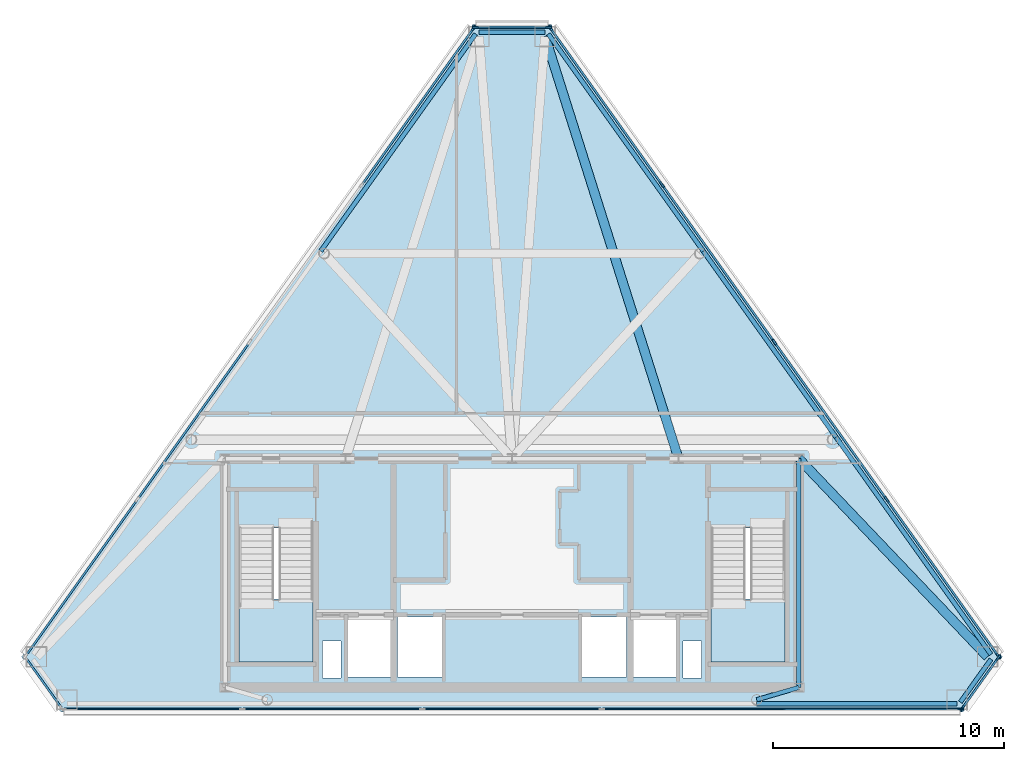
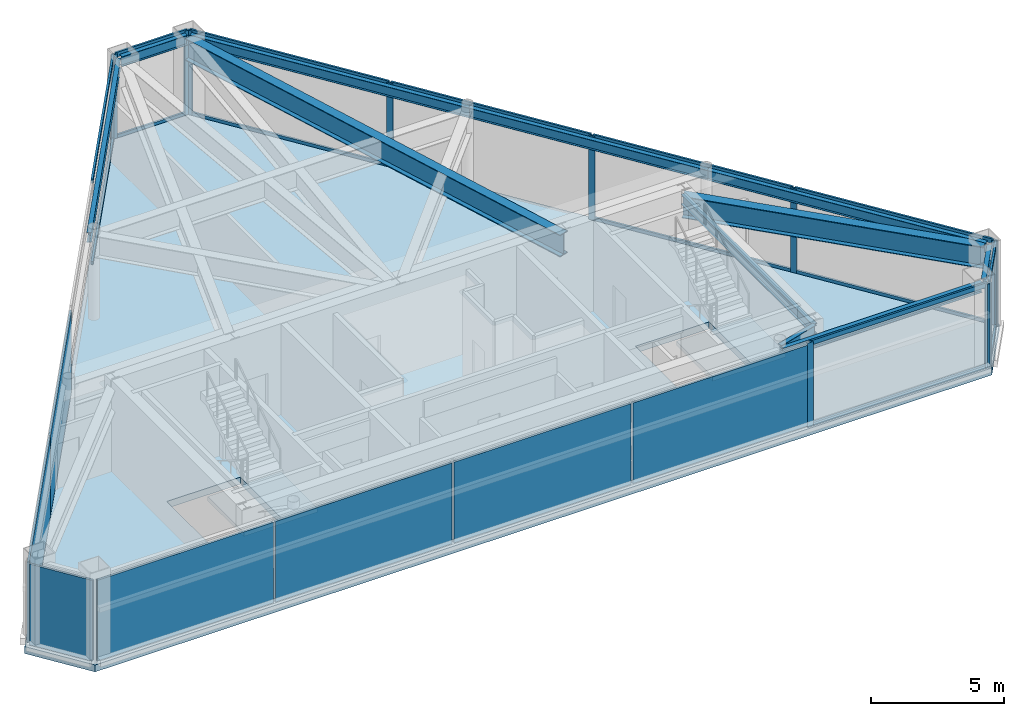
# One storey, part 2 of 5: 27 members, 11 beams, 7 plates, 3 slabs, 8 elements without a shape of their own.
"""IFC4 building model written with IfcOpenShell, lengths in metres."""

from ifc_helpers import new_model, si_unit, direction, frame, origin, origin_2d, place, context, subcontext, project, spatial, polyline, rectangle, i_section, outline, extrude, source, transform, mapped, material, layer, layer_set, material_profile, profile_set, type_object, type_shapes, element, aggregate, save


model = new_model("IFC4")

# Units and contexts
model_context = context("Model", 3, precision=1e-05, world=origin(), true_north=direction((0.0, 1.0)))
body_context = subcontext(model_context, "Body", "Model", "MODEL_VIEW")
ifc_project = project(units=[si_unit("LENGTHUNIT", "METRE"), si_unit("AREAUNIT", "SQUARE_METRE"), si_unit("VOLUMEUNIT", "CUBIC_METRE"), si_unit("PLANEANGLEUNIT", "RADIAN"), si_unit("MASSUNIT", "GRAM", prefix="KILO")], contexts=[model_context])

# Site, building, storey
site_placement = place(None, origin())
site = spatial("IfcSite", under=ifc_project, at=site_placement, CompositionType="ELEMENT")
building_placement = place(site_placement, origin())
building = spatial("IfcBuilding", under=site, at=building_placement, Name="Talgorran Terracotta Tower", CompositionType="ELEMENT")
storey_placement = place(building_placement, frame((0.0, 0.0, 297.60009765625)))
storey = spatial("IfcBuildingStorey", under=building, at=storey_placement, Name="L78", CompositionType="ELEMENT", Elevation=297.60009765625)

# Beams
ifc_material_1 = material(Name="Steel Grade 350 (350L0)", Category="steel")
ifc_material_profile_1 = material_profile(ifc_material_1, i_section(OverallWidth=0.39990234375, OverallDepth=1.0, WebThickness=0.01611328125, FlangeThickness=0.031005859375, at=origin_2d()), Name="1000WB296")
ifc_profile_set_1 = profile_set([ifc_material_profile_1], Name="Steel Grade 350 (350L0)")
beam_type_1 = type_object("IfcBeamType", Name="BM_1000WB296", PredefinedType="BEAM", material=ifc_profile_set_1)
beam_1_placement = place(storey_placement, frame((7.199951171875, -4.199951171875, 3.3798828125), z_axis=(-0.301538397756, 0.953454033857, 0.0), x_axis=(-0.953454033857, -0.301538397756, 0.0)))
element("IfcBeam", 1, at=beam_1_placement, inside=storey, type_object=beam_type_1, Name="L78 Observation/Crown Girder OG2", PredefinedType="BEAM", context=body_context, shape_type="SweptSolid", body=[
    extrude(i_section(OverallWidth=0.39990234375, OverallDepth=1.0, WebThickness=0.01611328125, FlangeThickness=0.031005859375, at=origin_2d()), origin(), (0.0, 0.0, 1.0), 19.145751953125),
])
beam_2_placement = place(storey_placement, frame((12.39990234375, -4.199951171875, 3.3798828125), z_axis=(0.689671131697, -0.724122731382, 0.0), x_axis=(0.724122731382, 0.689671131697, 0.0)))
element("IfcBeam", 2, at=beam_2_placement, inside=storey, type_object=beam_type_1, Name="L78 Observation/Crown Girder OG7", PredefinedType="BEAM", context=body_context, shape_type="SweptSolid", body=[
    extrude(i_section(OverallWidth=0.39990234375, OverallDepth=1.0, WebThickness=0.01611328125, FlangeThickness=0.031005859375, at=origin_2d()), origin(), (0.0, 0.0, 1.0), 11.841552734375),
])
ifc_material_2 = material(Name="Steel S355 (300PLUS)", Category="steel")
ifc_material_profile_2 = material_profile(ifc_material_2, i_section(OverallWidth=0.18994140625, OverallDepth=0.45703125, WebThickness=0.009033203125, FlangeThickness=0.014404296875, at=origin_2d()), Name="460UB74.6")
ifc_profile_set_2 = profile_set([ifc_material_profile_2], Name="Steel S355 (300PLUS)")
beam_type_2 = type_object("IfcBeamType", Name="BM_SP_460UB74", PredefinedType="SPANDREL", material=ifc_profile_set_2)
beam_3_placement = place(storey_placement, frame((10.58349609375, -14.81005859375, 3.6513671875), z_axis=(1.0, 0.0, 0.0), x_axis=(0.0, 1.0, 0.0)))
element("IfcBeam", 3, at=beam_3_placement, inside=storey, type_object=beam_type_2, Name="L78 Perimeter Spandrel Beam FC2-MC3", PredefinedType="SPANDREL", context=body_context, shape_type="SweptSolid", body=[
    extrude(i_section(OverallWidth=0.18994140625, OverallDepth=0.45703125, WebThickness=0.009033203125, FlangeThickness=0.014404296875, at=origin_2d()), origin(), (0.0, 0.0, 1.0), 8.659423828125),
])
beam_4_placement = place(storey_placement, frame((19.389404296875, -14.734619140625, 3.6513671875), z_axis=(0.580772007805, 0.814066259557, 0.0), x_axis=(-0.814066259557, 0.580772007805, 0.0)))
element("IfcBeam", 4, at=beam_4_placement, inside=storey, type_object=beam_type_2, Name="L78 Perimeter Spandrel Beam MC3-MC4", PredefinedType="SPANDREL", context=body_context, shape_type="SweptSolid", body=[
    extrude(i_section(OverallWidth=0.18994140625, OverallDepth=0.45703125, WebThickness=0.009033203125, FlangeThickness=0.014404296875, at=origin_2d()), origin(), (0.0, 0.0, 1.0), 2.279296875),
])
beam_5_placement = place(storey_placement, frame((20.713134765625, -12.670166015625, 3.6513671875), z_axis=(-0.580753577836, 0.81407940757, 0.0), x_axis=(-0.81407940757, -0.580753577836, 0.0)))
element("IfcBeam", 5, at=beam_5_placement, inside=storey, type_object=beam_type_2, Name="L78 Perimeter Spandrel Beam MC4-FC3", PredefinedType="SPANDREL", context=body_context, shape_type="SweptSolid", body=[
    extrude(i_section(OverallWidth=0.18994140625, OverallDepth=0.45703125, WebThickness=0.009033203125, FlangeThickness=0.014404296875, at=origin_2d()), origin(), (0.0, 0.0, 1.0), 11.534912109375),
])
beam_6_placement = place(storey_placement, frame((14.01416015625, -3.27978515625, 3.6513671875), z_axis=(-0.58076625008, 0.814070367209, 0.0), x_axis=(-0.814070367209, -0.58076625008, 0.0)))
element("IfcBeam", 6, at=beam_6_placement, inside=storey, type_object=beam_type_2, Name="L78 Perimeter Spandrel Beam FC3-FC4", PredefinedType="SPANDREL", context=body_context, shape_type="SweptSolid", body=[
    extrude(i_section(OverallWidth=0.18994140625, OverallDepth=0.45703125, WebThickness=0.009033203125, FlangeThickness=0.014404296875, at=origin_2d()), origin(), (0.0, 0.0, 1.0), 9.88671875),
])
beam_7_placement = place(storey_placement, frame((8.272216796875, 4.768798828125, 3.6513671875), z_axis=(-0.580753577836, 0.81407940757, 0.0), x_axis=(-0.81407940757, -0.580753577836, 0.0)))
element("IfcBeam", 7, at=beam_7_placement, inside=storey, type_object=beam_type_2, Name="L78 Perimeter Spandrel Beam FC4-MC5", PredefinedType="SPANDREL", context=body_context, shape_type="SweptSolid", body=[
    extrude(i_section(OverallWidth=0.18994140625, OverallDepth=0.45703125, WebThickness=0.009033203125, FlangeThickness=0.014404296875, at=origin_2d()), origin(), (0.0, 0.0, 1.0), 11.534912109375),
])
beam_8_placement = place(storey_placement, frame((1.4267578125, 14.234619140625, 3.6513671875), z_axis=(-1.0, 0.0, 0.0), x_axis=(0.0, -1.0, 0.0)))
element("IfcBeam", 8, at=beam_8_placement, inside=storey, type_object=beam_type_2, Name="L78 Perimeter Spandrel Beam MC5-MC6", PredefinedType="SPANDREL", context=body_context, shape_type="SweptSolid", body=[
    extrude(i_section(OverallWidth=0.18994140625, OverallDepth=0.45703125, WebThickness=0.009033203125, FlangeThickness=0.014404296875, at=origin_2d()), origin(), (0.0, 0.0, 1.0), 2.853515625),
])
beam_9_placement = place(storey_placement, frame((-1.5732421875, 14.1591796875, 3.6513671875), z_axis=(-0.580753577836, -0.81407940757, 0.0), x_axis=(0.81407940757, -0.580753577836, 0.0)))
element("IfcBeam", 9, at=beam_9_placement, inside=storey, type_object=beam_type_2, Name="L78 Perimeter Spandrel Beam MC6-FC5", PredefinedType="SPANDREL", context=body_context, shape_type="SweptSolid", body=[
    extrude(i_section(OverallWidth=0.18994140625, OverallDepth=0.45703125, WebThickness=0.009033203125, FlangeThickness=0.014404296875, at=origin_2d()), origin(), (0.0, 0.0, 1.0), 11.534912109375),
])
beam_10_placement = place(storey_placement, frame((12.39990234375, -14.10009765625, 3.6513671875), z_axis=(-0.96, -0.28, 0.0), x_axis=(0.28, -0.96, 0.0)))
element("IfcBeam", 10, at=beam_10_placement, inside=storey, type_object=beam_type_2, Name="L78 South-East Core Tie Beam", PredefinedType="SPANDREL", context=body_context, shape_type="SweptSolid", body=[
    extrude(i_section(OverallWidth=0.18994140625, OverallDepth=0.45703125, WebThickness=0.009033203125, FlangeThickness=0.014404296875, at=origin_2d()), origin(), (0.0, 0.0, 1.0), 1.89208984375),
])
beam_11_placement = place(storey_placement, frame((12.39990234375, -14.10009765625, 3.6513671875), z_axis=(0.0, 1.0, 0.0), x_axis=(-1.0, 0.0, 0.0)))
element("IfcBeam", 11, at=beam_11_placement, inside=storey, type_object=beam_type_2, Name="L78 Core Frame Beam CFE", PredefinedType="SPANDREL", context=body_context, shape_type="SweptSolid", body=[
    extrude(i_section(OverallWidth=0.18994140625, OverallDepth=0.45703125, WebThickness=0.009033203125, FlangeThickness=0.014404296875, at=origin_2d()), origin(), (0.0, 0.0, 1.0), 9.900146484375),
])

# Curtain wall, members
ifc_material_3 = material(Name="Anodised Aluminium Louvre", Category="aluminium")
ifc_layer_1 = layer(ifc_material_3, 0.25, Name="CW_SYS4_LOUVRE")
ifc_layer_set_1 = layer_set([ifc_layer_1], Name="Anodised Aluminium Louvre")
curtain_wall_type = type_object("IfcCurtainWallType", Name="CW_SYS4_LOUVRE", PredefinedType="NOTDEFINED", material=ifc_layer_set_1)
curtain_wall_1_placement = place(storey_placement, origin())
curtain_wall_1 = element("IfcCurtainWall", 12, at=curtain_wall_1_placement, inside=storey, type_object=curtain_wall_type, Name="CW-L78-F1", PredefinedType="NOTDEFINED")
ifc_material_4 = material(Name="Architectural Aluminium 6063-T6", Category="aluminium")
ifc_material_profile_3 = material_profile(ifc_material_4, rectangle(XDim=0.0849609375, YDim=0.260009765625, at=origin_2d()), Name="CWM85X260")
ifc_profile_set_3 = profile_set([ifc_material_profile_3], Name="Architectural Aluminium 6063-T6")
member_type_1 = type_object("IfcMemberType", Name="MUL_85X260", PredefinedType="MULLION", material=ifc_profile_set_3)
member_1_placement = place(storey_placement, frame((11.66943359375, -15.030029296875, 0.0), z_axis=(0.0, 0.0, 1.0), x_axis=(0.0, 1.0, 0.0)))
member_1 = element("IfcMember", 13, at=member_1_placement, type_object=member_type_1, Name="CW-L78-1 mullion 5", PredefinedType="MULLION", context=body_context, shape_type="SweptSolid", body=[
    extrude(rectangle(XDim=0.0849609375, YDim=0.260009765625, at=origin_2d()), origin(), (0.0, 0.0, 1.0), 3.8798828125),
])
member_2_placement = place(storey_placement, frame((19.406494140625, -15.030029296875, 0.0), z_axis=(0.0, 0.0, 1.0), x_axis=(0.0, 1.0, 0.0)))
member_2 = element("IfcMember", 14, at=member_2_placement, type_object=member_type_1, Name="CW-L78-1 mullion 6", PredefinedType="MULLION", context=body_context, shape_type="SweptSolid", body=[
    extrude(rectangle(XDim=0.0849609375, YDim=0.260009765625, at=origin_2d()), origin(), (0.0, 0.0, 1.0), 3.8798828125),
])

curtain_wall_2_placement = place(storey_placement, origin())
curtain_wall_2 = element("IfcCurtainWall", 15, at=curtain_wall_2_placement, inside=storey, type_object=curtain_wall_type, Name="CW-L78-F2", PredefinedType="NOTDEFINED")
member_3_placement = place(storey_placement, frame((19.4736328125, -14.995361328125, 0.0), z_axis=(0.0, 0.0, 1.0), x_axis=(-0.814074765018, 0.580760085543, 0.0)))
member_3 = element("IfcMember", 16, at=member_3_placement, type_object=member_type_1, Name="CW-L78-2 mullion 1", PredefinedType="MULLION", context=body_context, shape_type="SweptSolid", body=[
    extrude(rectangle(XDim=0.0849609375, YDim=0.260009765625, at=origin_2d()), origin(), (0.0, 0.0, 1.0), 3.8798828125),
])
member_4_placement = place(storey_placement, frame((21.033203125, -12.80908203125, 0.0), z_axis=(0.0, 0.0, 1.0), x_axis=(-0.814074765018, 0.580760085543, 0.0)))
member_4 = element("IfcMember", 17, at=member_4_placement, type_object=member_type_1, Name="CW-L78-2 mullion 2", PredefinedType="MULLION", context=body_context, shape_type="SweptSolid", body=[
    extrude(rectangle(XDim=0.0849609375, YDim=0.260009765625, at=origin_2d()), origin(), (0.0, 0.0, 1.0), 3.8798828125),
])

curtain_wall_3_placement = place(storey_placement, origin())
curtain_wall_3 = element("IfcCurtainWall", 18, at=curtain_wall_3_placement, inside=storey, type_object=curtain_wall_type, Name="CW-L78-F3", PredefinedType="NOTDEFINED")
member_5_placement = place(storey_placement, frame((21.033203125, -12.739990234375, 0.0), z_axis=(0.0, 0.0, 1.0), x_axis=(-0.814075935218, -0.580758445224, 0.0)))
member_5 = element("IfcMember", 19, at=member_5_placement, type_object=member_type_1, Name="CW-L78-3 mullion 1", PredefinedType="MULLION", context=body_context, shape_type="SweptSolid", body=[
    extrude(rectangle(XDim=0.0849609375, YDim=0.260009765625, at=origin_2d()), origin(), (0.0, 0.0, 1.0), 3.8798828125),
])
member_6_placement = place(storey_placement, frame((16.20166015625, -5.96728515625, 0.0), z_axis=(0.0, 0.0, 1.0), x_axis=(-0.814075935218, -0.580758445224, 0.0)))
member_6 = element("IfcMember", 20, at=member_6_placement, type_object=member_type_1, Name="CW-L78-3 mullion 2", PredefinedType="MULLION", context=body_context, shape_type="SweptSolid", body=[
    extrude(rectangle(XDim=0.0849609375, YDim=0.260009765625, at=origin_2d()), origin(), (0.0, 0.0, 1.0), 3.8798828125),
])
member_7_placement = place(storey_placement, frame((11.345458984375, 0.840087890625, 0.0), z_axis=(0.0, 0.0, 1.0), x_axis=(-0.814075935218, -0.580758445224, 0.0)))
member_7 = element("IfcMember", 21, at=member_7_placement, type_object=member_type_1, Name="CW-L78-3 mullion 3", PredefinedType="MULLION", context=body_context, shape_type="SweptSolid", body=[
    extrude(rectangle(XDim=0.0849609375, YDim=0.260009765625, at=origin_2d()), origin(), (0.0, 0.0, 1.0), 3.8798828125),
])
member_8_placement = place(storey_placement, frame((6.489013671875, 7.647216796875, 0.0), z_axis=(0.0, 0.0, 1.0), x_axis=(-0.814075935218, -0.580758445224, 0.0)))
member_8 = element("IfcMember", 22, at=member_8_placement, type_object=member_type_1, Name="CW-L78-3 mullion 4", PredefinedType="MULLION", context=body_context, shape_type="SweptSolid", body=[
    extrude(rectangle(XDim=0.0849609375, YDim=0.260009765625, at=origin_2d()), origin(), (0.0, 0.0, 1.0), 3.8798828125),
])
member_9_placement = place(storey_placement, frame((1.657470703125, 14.419921875, 0.0), z_axis=(0.0, 0.0, 1.0), x_axis=(-0.814075935218, -0.580758445224, 0.0)))
member_9 = element("IfcMember", 23, at=member_9_placement, type_object=member_type_1, Name="CW-L78-3 mullion 5", PredefinedType="MULLION", context=body_context, shape_type="SweptSolid", body=[
    extrude(rectangle(XDim=0.0849609375, YDim=0.260009765625, at=origin_2d()), origin(), (0.0, 0.0, 1.0), 3.8798828125),
])

curtain_wall_4_placement = place(storey_placement, origin())
curtain_wall_4 = element("IfcCurtainWall", 24, at=curtain_wall_4_placement, inside=storey, type_object=curtain_wall_type, Name="CW-L78-F4", PredefinedType="NOTDEFINED")
member_10_placement = place(storey_placement, frame((1.59033203125, 14.45458984375, 0.0), z_axis=(0.0, 0.0, 1.0), x_axis=(0.0, -1.0, 0.0)))
member_10 = element("IfcMember", 25, at=member_10_placement, type_object=member_type_1, Name="CW-L78-4 mullion 1", PredefinedType="MULLION", context=body_context, shape_type="SweptSolid", body=[
    extrude(rectangle(XDim=0.0849609375, YDim=0.260009765625, at=origin_2d()), origin(), (0.0, 0.0, 1.0), 3.8798828125),
])
member_11_placement = place(storey_placement, frame((-1.59033203125, 14.45458984375, 0.0), z_axis=(0.0, 0.0, 1.0), x_axis=(0.0, -1.0, 0.0)))
member_11 = element("IfcMember", 26, at=member_11_placement, type_object=member_type_1, Name="CW-L78-4 mullion 2", PredefinedType="MULLION", context=body_context, shape_type="SweptSolid", body=[
    extrude(rectangle(XDim=0.0849609375, YDim=0.260009765625, at=origin_2d()), origin(), (0.0, 0.0, 1.0), 3.8798828125),
])

# Curtain wall, member
curtain_wall_5_placement = place(storey_placement, origin())
curtain_wall_5 = element("IfcCurtainWall", 27, at=curtain_wall_5_placement, inside=storey, type_object=curtain_wall_type, Name="CW-L78-F5", PredefinedType="NOTDEFINED")
member_12_placement = place(storey_placement, frame((-1.657470703125, 14.419921875, 0.0), z_axis=(0.0, 0.0, 1.0), x_axis=(0.814075935218, -0.580758445224, 0.0)))
member_12 = element("IfcMember", 28, at=member_12_placement, type_object=member_type_1, Name="CW-L78-5 mullion 1", PredefinedType="MULLION", context=body_context, shape_type="SweptSolid", body=[
    extrude(rectangle(XDim=0.0849609375, YDim=0.260009765625, at=origin_2d()), origin(), (0.0, 0.0, 1.0), 3.8798828125),
])

# Member
ifc_material_profile_4 = material_profile(ifc_material_4, rectangle(XDim=0.0849609375, YDim=0.2099609375, at=origin_2d()), Name="CWT85X210")
ifc_profile_set_4 = profile_set([ifc_material_profile_4], Name="Architectural Aluminium 6063-T6")
member_type_2 = type_object("IfcMemberType", Name="TRN_85X210", PredefinedType="USERDEFINED", material=ifc_profile_set_4)
member_13_placement = place(storey_placement, frame((11.7119140625, -15.030029296875, 0.04248046875), z_axis=(1.0, 0.0, 0.0), x_axis=(0.0, 1.0, 0.0)))
member_13 = element("IfcMember", 29, at=member_13_placement, type_object=member_type_2, Name="CW-L78-1 transom 5.1", ObjectType="TRANSOM", PredefinedType="USERDEFINED", context=body_context, shape_type="SweptSolid", body=[
    extrude(rectangle(XDim=0.0849609375, YDim=0.2099609375, at=origin_2d()), origin(), (0.0, 0.0, 1.0), 7.652099609375),
])

member_14_placement = place(storey_placement, frame((11.7119140625, -15.030029296875, 3.83740234375), z_axis=(1.0, 0.0, 0.0), x_axis=(0.0, 1.0, 0.0)))
member_14 = element("IfcMember", 30, at=member_14_placement, type_object=member_type_2, Name="CW-L78-1 transom 5.2", ObjectType="TRANSOM", PredefinedType="USERDEFINED", context=body_context, shape_type="SweptSolid", body=[
    extrude(rectangle(XDim=0.0849609375, YDim=0.2099609375, at=origin_2d()), origin(), (0.0, 0.0, 1.0), 7.652099609375),
])

member_15_placement = place(storey_placement, frame((19.498291015625, -14.960693359375, 0.04248046875), z_axis=(0.580767406983, 0.814069541861, 0.0), x_axis=(-0.814069541861, 0.580767406983, 0.0)))
member_15 = element("IfcMember", 31, at=member_15_placement, type_object=member_type_2, Name="CW-L78-2 transom 1.1", ObjectType="TRANSOM", PredefinedType="USERDEFINED", context=body_context, shape_type="SweptSolid", body=[
    extrude(rectangle(XDim=0.0849609375, YDim=0.2099609375, at=origin_2d()), origin(), (0.0, 0.0, 1.0), 2.600341796875),
])

member_16_placement = place(storey_placement, frame((19.498291015625, -14.960693359375, 3.83740234375), z_axis=(0.580767406983, 0.814069541861, 0.0), x_axis=(-0.814069541861, 0.580767406983, 0.0)))
member_16 = element("IfcMember", 32, at=member_16_placement, type_object=member_type_2, Name="CW-L78-2 transom 1.2", ObjectType="TRANSOM", PredefinedType="USERDEFINED", context=body_context, shape_type="SweptSolid", body=[
    extrude(rectangle(XDim=0.0849609375, YDim=0.2099609375, at=origin_2d()), origin(), (0.0, 0.0, 1.0), 2.600341796875),
])

aggregate(curtain_wall_2, [member_3, member_4, member_15, member_16])

member_17_placement = place(storey_placement, frame((21.008544921875, -12.705322265625, 0.04248046875), z_axis=(-0.580764112187, 0.8140718924, 0.0), x_axis=(-0.8140718924, -0.580764112187, 0.0)))
member_17 = element("IfcMember", 33, at=member_17_placement, type_object=member_type_2, Name="CW-L78-3 transom 1.1", ObjectType="TRANSOM", PredefinedType="USERDEFINED", context=body_context, shape_type="SweptSolid", body=[
    extrude(rectangle(XDim=0.0849609375, YDim=0.2099609375, at=origin_2d()), origin(), (0.0, 0.0, 1.0), 8.234375),
])

member_18_placement = place(storey_placement, frame((21.008544921875, -12.705322265625, 3.83740234375), z_axis=(-0.580764112187, 0.8140718924, 0.0), x_axis=(-0.8140718924, -0.580764112187, 0.0)))
member_18 = element("IfcMember", 34, at=member_18_placement, type_object=member_type_2, Name="CW-L78-3 transom 1.2", ObjectType="TRANSOM", PredefinedType="USERDEFINED", context=body_context, shape_type="SweptSolid", body=[
    extrude(rectangle(XDim=0.0849609375, YDim=0.2099609375, at=origin_2d()), origin(), (0.0, 0.0, 1.0), 8.234375),
])

member_19_placement = place(storey_placement, frame((16.177001953125, -5.9326171875, 0.04248046875), z_axis=(-0.580758175294, 0.814076127785, 0.0), x_axis=(-0.814076127785, -0.580758175294, 0.0)))
member_19 = element("IfcMember", 35, at=member_19_placement, type_object=member_type_2, Name="CW-L78-3 transom 2.1", ObjectType="TRANSOM", PredefinedType="USERDEFINED", context=body_context, shape_type="SweptSolid", body=[
    extrude(rectangle(XDim=0.0849609375, YDim=0.2099609375, at=origin_2d()), origin(), (0.0, 0.0, 1.0), 8.27685546875),
])

member_20_placement = place(storey_placement, frame((16.177001953125, -5.9326171875, 3.83740234375), z_axis=(-0.580758175294, 0.814076127785, 0.0), x_axis=(-0.814076127785, -0.580758175294, 0.0)))
member_20 = element("IfcMember", 36, at=member_20_placement, type_object=member_type_2, Name="CW-L78-3 transom 2.2", ObjectType="TRANSOM", PredefinedType="USERDEFINED", context=body_context, shape_type="SweptSolid", body=[
    extrude(rectangle(XDim=0.0849609375, YDim=0.2099609375, at=origin_2d()), origin(), (0.0, 0.0, 1.0), 8.27685546875),
])

member_21_placement = place(storey_placement, frame((11.32080078125, 0.87451171875, 3.83740234375), z_axis=(-0.580763777589, 0.814072131104, 0.0), x_axis=(-0.814072131104, -0.580763777589, 0.0)))
member_21 = element("IfcMember", 37, at=member_21_placement, type_object=member_type_2, Name="CW-L78-3 transom 3.2", ObjectType="TRANSOM", PredefinedType="USERDEFINED", context=body_context, shape_type="SweptSolid", body=[
    extrude(rectangle(XDim=0.0849609375, YDim=0.2099609375, at=origin_2d()), origin(), (0.0, 0.0, 1.0), 8.27734375),
])

member_22_placement = place(storey_placement, frame((6.46435546875, 7.681884765625, 0.04248046875), z_axis=(-0.580750094886, 0.81408189225, 0.0), x_axis=(-0.81408189225, -0.580750094886, 0.0)))
member_22 = element("IfcMember", 38, at=member_22_placement, type_object=member_type_2, Name="CW-L78-3 transom 4.1", ObjectType="TRANSOM", PredefinedType="USERDEFINED", context=body_context, shape_type="SweptSolid", body=[
    extrude(rectangle(XDim=0.0849609375, YDim=0.2099609375, at=origin_2d()), origin(), (0.0, 0.0, 1.0), 8.234619140625),
])

member_23_placement = place(storey_placement, frame((6.46435546875, 7.681884765625, 3.83740234375), z_axis=(-0.580750094886, 0.81408189225, 0.0), x_axis=(-0.81408189225, -0.580750094886, 0.0)))
member_23 = element("IfcMember", 39, at=member_23_placement, type_object=member_type_2, Name="CW-L78-3 transom 4.2", ObjectType="TRANSOM", PredefinedType="USERDEFINED", context=body_context, shape_type="SweptSolid", body=[
    extrude(rectangle(XDim=0.0849609375, YDim=0.2099609375, at=origin_2d()), origin(), (0.0, 0.0, 1.0), 8.234619140625),
])

aggregate(curtain_wall_3, [member_5, member_6, member_7, member_8, member_9, member_17, member_18, member_19, member_20, member_21, member_22, member_23])

member_24_placement = place(storey_placement, frame((1.5478515625, 14.45458984375, 0.04248046875), z_axis=(-1.0, 0.0, 0.0), x_axis=(0.0, -1.0, 0.0)))
member_24 = element("IfcMember", 40, at=member_24_placement, type_object=member_type_2, Name="CW-L78-4 transom 1.1", ObjectType="TRANSOM", PredefinedType="USERDEFINED", context=body_context, shape_type="SweptSolid", body=[
    extrude(rectangle(XDim=0.0849609375, YDim=0.2099609375, at=origin_2d()), origin(), (0.0, 0.0, 1.0), 3.095703125),
])

member_25_placement = place(storey_placement, frame((1.5478515625, 14.45458984375, 3.83740234375), z_axis=(-1.0, 0.0, 0.0), x_axis=(0.0, -1.0, 0.0)))
member_25 = element("IfcMember", 41, at=member_25_placement, type_object=member_type_2, Name="CW-L78-4 transom 1.2", ObjectType="TRANSOM", PredefinedType="USERDEFINED", context=body_context, shape_type="SweptSolid", body=[
    extrude(rectangle(XDim=0.0849609375, YDim=0.2099609375, at=origin_2d()), origin(), (0.0, 0.0, 1.0), 3.095703125),
])

aggregate(curtain_wall_4, [member_10, member_11, member_24, member_25])

member_26_placement = place(storey_placement, frame((-1.68212890625, 14.385498046875, 0.04248046875), z_axis=(-0.580750094886, -0.81408189225, 0.0), x_axis=(0.81408189225, -0.580750094886, 0.0)))
member_26 = element("IfcMember", 42, at=member_26_placement, type_object=member_type_2, Name="CW-L78-5 transom 1.1", ObjectType="TRANSOM", PredefinedType="USERDEFINED", context=body_context, shape_type="SweptSolid", body=[
    extrude(rectangle(XDim=0.0849609375, YDim=0.2099609375, at=origin_2d()), origin(), (0.0, 0.0, 1.0), 8.234619140625),
])

member_27_placement = place(storey_placement, frame((-1.68212890625, 14.385498046875, 3.83740234375), z_axis=(-0.580750094886, -0.81408189225, 0.0), x_axis=(0.81408189225, -0.580750094886, 0.0)))
member_27 = element("IfcMember", 43, at=member_27_placement, type_object=member_type_2, Name="CW-L78-5 transom 1.2", ObjectType="TRANSOM", PredefinedType="USERDEFINED", context=body_context, shape_type="SweptSolid", body=[
    extrude(rectangle(XDim=0.0849609375, YDim=0.2099609375, at=origin_2d()), origin(), (0.0, 0.0, 1.0), 8.234619140625),
])

# Stair, slab
ifc_material_5 = material(Name="Concrete C40/50", Category="concrete")
stair_type = type_object("IfcStairType", Name="ST_FIRE_SCISSOR", PredefinedType="HALF_TURN_STAIR", material=ifc_material_5)
stair_1_placement = place(storey_placement, origin())
stair_1 = element("IfcStair", 44, at=stair_1_placement, inside=storey, type_object=stair_type, Name="L78 West Protected Fire Stair ST-01", PredefinedType="HALF_TURN_STAIR")
ifc_layer_2 = layer(ifc_material_5, 0.199951171875, Name="SL_LANDING_200")
ifc_layer_set_2 = layer_set([ifc_layer_2], Name="Concrete C40/50")
slab_type_1 = type_object("IfcSlabType", Name="SL_LANDING_200", PredefinedType="LANDING", material=ifc_layer_set_2)
slab_1_placement = place(storey_placement, frame((0.0, 0.0, 1.89990234375)))
slab_1 = element("IfcSlab", 45, at=slab_1_placement, type_object=slab_type_1, Name="ST-01 landing 1", PredefinedType="LANDING", context=body_context, shape_type="SweptSolid", body=[
    extrude(outline(polyline([(-11.800048828125, -10.280029296875), (-11.800048828125, -13.0), (-8.60009765625, -13.0), (-8.60009765625, -10.280029296875), (-11.800048828125, -10.280029296875)])), origin(), (0.0, 0.0, 1.0), 0.199951171875),
])
aggregate(stair_1, [slab_1])

stair_2_placement = place(storey_placement, origin())
stair_2 = element("IfcStair", 46, at=stair_2_placement, inside=storey, type_object=stair_type, Name="L78 East Protected Fire Stair ST-02", PredefinedType="HALF_TURN_STAIR")
slab_2_placement = place(storey_placement, frame((0.0, 0.0, 1.89990234375)))
slab_2 = element("IfcSlab", 47, at=slab_2_placement, type_object=slab_type_1, Name="ST-02 landing 1", PredefinedType="LANDING", context=body_context, shape_type="SweptSolid", body=[
    extrude(outline(polyline([(8.60009765625, -10.280029296875), (8.60009765625, -13.0), (11.800048828125, -13.0), (11.800048828125, -10.280029296875), (8.60009765625, -10.280029296875)])), origin(), (0.0, 0.0, 1.0), 0.199951171875),
])
aggregate(stair_2, [slab_2])

# Slab
ifc_material_6 = material(Name="Concrete C50/60", Category="concrete")
ifc_layer_3 = layer(ifc_material_6, 0.320068359375, Name="SL_PLANT_320")
ifc_layer_set_3 = layer_set([ifc_layer_3], Name="Concrete C50/60")
slab_type_2 = type_object("IfcSlabType", Name="SL_PLANT_320", PredefinedType="FLOOR", material=ifc_layer_set_3)
slab_3_placement = place(storey_placement, frame((0.0, 0.0, -0.320068359375)))
element("IfcSlab", 48, at=slab_3_placement, inside=storey, type_object=slab_type_2, Name="Storey L78 Structural Floor Slab", PredefinedType="FLOOR", context=body_context, shape_type="SweptSolid", body=[
    extrude(outline(polyline([(-21.205322265625, -12.774658203125), (-19.5107421875, -15.14990234375), (19.5107421875, -15.14990234375), (21.205322265625, -12.774658203125), (1.694580078125, 14.57470703125), (-1.694580078125, 14.57470703125), (-21.205322265625, -12.774658203125)]), holes=[polyline([(-11.800048828125, -7.199951171875), (-11.800048828125, -13.0), (-8.60009765625, -13.0), (-8.60009765625, -7.199951171875), (-11.800048828125, -7.199951171875)]), polyline([(8.60009765625, -7.199951171875), (8.60009765625, -13.0), (11.800048828125, -13.0), (11.800048828125, -7.199951171875), (8.60009765625, -7.199951171875)]), polyline([(-7.10009765625, -13.64990234375), (-5.199951171875, -13.64990234375), (-5.199951171875, -11.050048828125), (-7.10009765625, -11.050048828125), (-7.10009765625, -13.64990234375)]), polyline([(5.199951171875, -13.64990234375), (7.10009765625, -13.64990234375), (7.10009765625, -11.050048828125), (5.199951171875, -11.050048828125), (5.199951171875, -13.64990234375)]), polyline([(3.0, -13.64990234375), (4.949951171875, -13.64990234375), (4.949951171875, -11.050048828125), (3.0, -11.050048828125), (3.0, -13.64990234375)]), polyline([(-4.949951171875, -13.64990234375), (-3.0, -13.64990234375), (-3.0, -11.050048828125), (-4.949951171875, -11.050048828125), (-4.949951171875, -13.64990234375)]), polyline([(-8.199951171875, -13.699951171875), (-7.39990234375, -13.699951171875), (-7.39990234375, -12.10009765625), (-8.199951171875, -12.10009765625), (-8.199951171875, -13.699951171875)]), polyline([(7.39990234375, -13.699951171875), (8.199951171875, -13.699951171875), (8.199951171875, -12.10009765625), (7.39990234375, -12.10009765625), (7.39990234375, -13.699951171875)])]), origin(), (0.0, 0.0, 1.0), 0.320068359375),
])

# Curtain wall, plate
curtain_wall_6_placement = place(storey_placement, origin())
curtain_wall_6 = element("IfcCurtainWall", 49, at=curtain_wall_6_placement, inside=storey, type_object=curtain_wall_type, Name="CW-L78-F0", PredefinedType="NOTDEFINED")
ifc_material_7 = material(Name="Anodised Aluminium Louvre Panel", Category="aluminium")
ifc_layer_4 = layer(ifc_material_7, 0.0849609375, Name="PLT_LOUVRE_BLADE")
ifc_layer_set_4 = layer_set([ifc_layer_4], Name="Anodised Aluminium Louvre Panel")
plate_type = type_object("IfcPlateType", Name="PLT_LOUVRE_BLADE", PredefinedType="CURTAIN_PANEL", material=ifc_layer_set_4)
shared_shape_1 = source(origin(), body_context, "Body", "SweptSolid", [
    extrude(rectangle(XDim=2.6005859375, YDim=0.0849609375, at=origin_2d()), origin(), (0.0, 0.0, 1.0), 3.7099609375),
])
plate_1_placement = place(storey_placement, frame((-20.25341796875, -13.90234375, 0.0849609375), z_axis=(0.0, 0.0, 1.0), x_axis=(0.580760085543, -0.814074765018, 0.0)))
plate_1 = element("IfcPlate", 50, at=plate_1_placement, type_object=plate_type, Name="CW-L78-0 panel 1.1", PredefinedType="CURTAIN_PANEL", context=body_context, shape_type="MappedRepresentation", body=[
    mapped(shared_shape_1, transform((0.0, 0.0, 0.0), scale=1.0)),
])
aggregate(curtain_wall_6, [plate_1])

# Plate
shared_shape_2 = source(origin(), body_context, "Body", "SweptSolid", [
    extrude(rectangle(XDim=7.652099609375, YDim=0.0849609375, at=origin_2d()), origin(), (0.0, 0.0, 1.0), 3.7099609375),
])
plate_2_placement = place(storey_placement, frame((-15.537841796875, -15.030029296875, 0.0849609375), z_axis=(0.0, 0.0, 1.0), x_axis=(1.0, 0.0, 0.0)))
plate_2 = element("IfcPlate", 51, at=plate_2_placement, type_object=plate_type, Name="CW-L78-1 panel 1.1", PredefinedType="CURTAIN_PANEL", context=body_context, shape_type="MappedRepresentation", body=[
    mapped(shared_shape_2, transform((0.0, 0.0, 0.0), scale=1.0)),
])

shared_shape_3 = source(origin(), body_context, "Body", "SweptSolid", [
    extrude(rectangle(XDim=7.694580078125, YDim=0.0849609375, at=origin_2d()), origin(), (0.0, 0.0, 1.0), 3.7099609375),
])
plate_3_placement = place(storey_placement, frame((-7.779541015625, -15.030029296875, 0.0849609375), z_axis=(0.0, 0.0, 1.0), x_axis=(1.0, 0.0, 0.0)))
plate_3 = element("IfcPlate", 52, at=plate_3_placement, type_object=plate_type, Name="CW-L78-1 panel 2.1", PredefinedType="CURTAIN_PANEL", context=body_context, shape_type="MappedRepresentation", body=[
    mapped(shared_shape_3, transform((0.0, 0.0, 0.0), scale=1.0)),
])

plate_4_placement = place(storey_placement, frame((0.0, -15.030029296875, 0.0849609375), z_axis=(0.0, 0.0, 1.0), x_axis=(1.0, 0.0, 0.0)))
plate_4 = element("IfcPlate", 53, at=plate_4_placement, type_object=plate_type, Name="CW-L78-1 panel 3.1", PredefinedType="CURTAIN_PANEL", context=body_context, shape_type="MappedRepresentation", body=[
    mapped(shared_shape_3, transform((0.0, 0.0, 0.0), scale=1.0)),
])

plate_5_placement = place(storey_placement, frame((7.779541015625, -15.030029296875, 0.0849609375), z_axis=(0.0, 0.0, 1.0), x_axis=(1.0, 0.0, 0.0)))
plate_5 = element("IfcPlate", 54, at=plate_5_placement, type_object=plate_type, Name="CW-L78-1 panel 4.1", PredefinedType="CURTAIN_PANEL", context=body_context, shape_type="MappedRepresentation", body=[
    mapped(shared_shape_3, transform((0.0, 0.0, 0.0), scale=1.0)),
])

aggregate(curtain_wall_1, [member_1, member_2, plate_2, plate_3, plate_4, plate_5, member_13, member_14])

shared_shape_4 = source(origin(), body_context, "Body", "SweptSolid", [
    extrude(rectangle(XDim=8.234375, YDim=0.0849609375, at=origin_2d()), origin(), (0.0, 0.0, 1.0), 3.7099609375),
])
plate_6_placement = place(storey_placement, frame((-18.617431640625, -9.353759765625, 0.0849609375), z_axis=(0.0, 0.0, 1.0), x_axis=(-0.580758445224, -0.814075935218, 0.0)))
plate_6 = element("IfcPlate", 55, at=plate_6_placement, type_object=plate_type, Name="CW-L78-5 panel 4.1", PredefinedType="CURTAIN_PANEL", context=body_context, shape_type="MappedRepresentation", body=[
    mapped(shared_shape_4, transform((0.0, 0.0, 0.0), scale=1.0)),
])

shared_shape_5 = source(origin(), body_context, "Body", "SweptSolid", [
    extrude(rectangle(XDim=8.277099609375, YDim=0.0849609375, at=origin_2d()), origin(), (0.0, 0.0, 1.0), 3.7099609375),
])
type_shapes(plate_type, [shared_shape_1, shared_shape_2, shared_shape_3, shared_shape_4, shared_shape_5])
plate_7_placement = place(storey_placement, frame((-13.7734375, -2.563720703125, 0.0849609375), z_axis=(0.0, 0.0, 1.0), x_axis=(-0.580758445224, -0.814075935218, 0.0)))
plate_7 = element("IfcPlate", 56, at=plate_7_placement, type_object=plate_type, Name="CW-L78-5 panel 3.1", PredefinedType="CURTAIN_PANEL", context=body_context, shape_type="MappedRepresentation", body=[
    mapped(shared_shape_5, transform((0.0, 0.0, 0.0), scale=1.0)),
])

aggregate(curtain_wall_5, [member_12, member_26, member_27, plate_7, plate_6])

save(model, "model.ifc")
